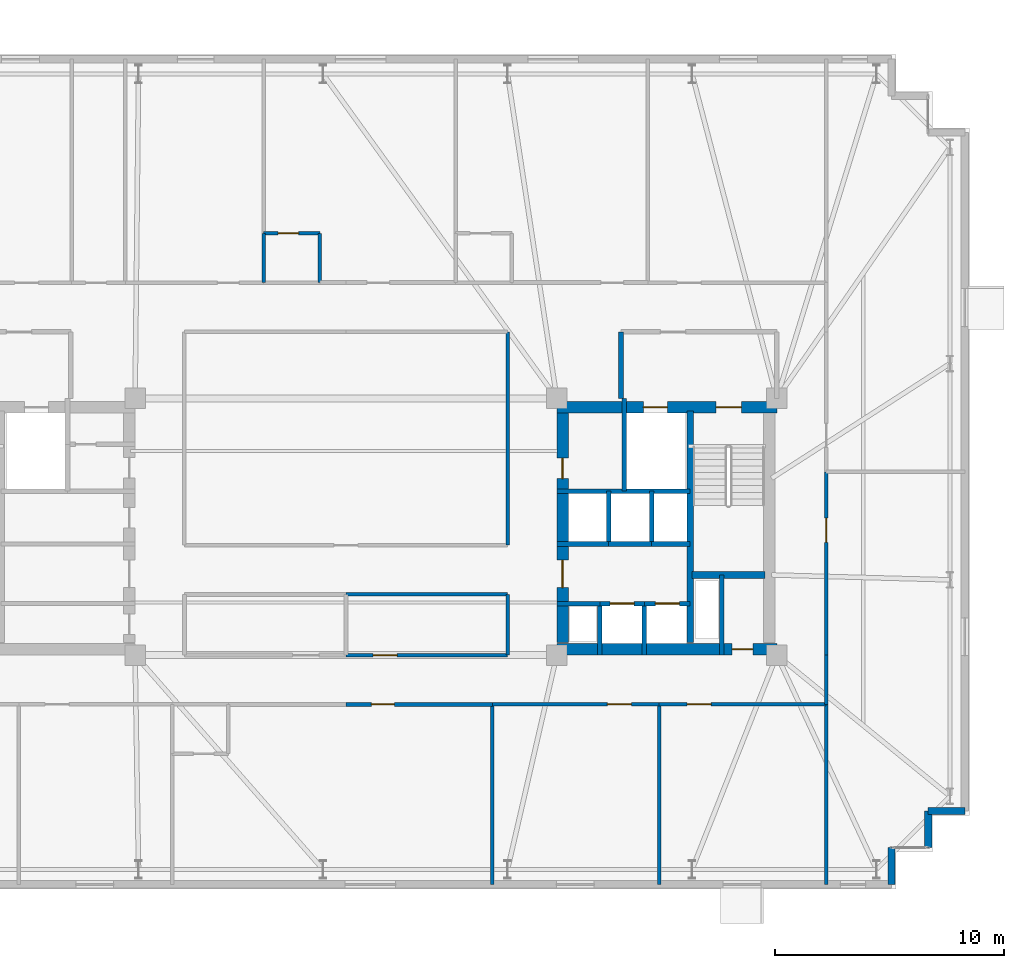
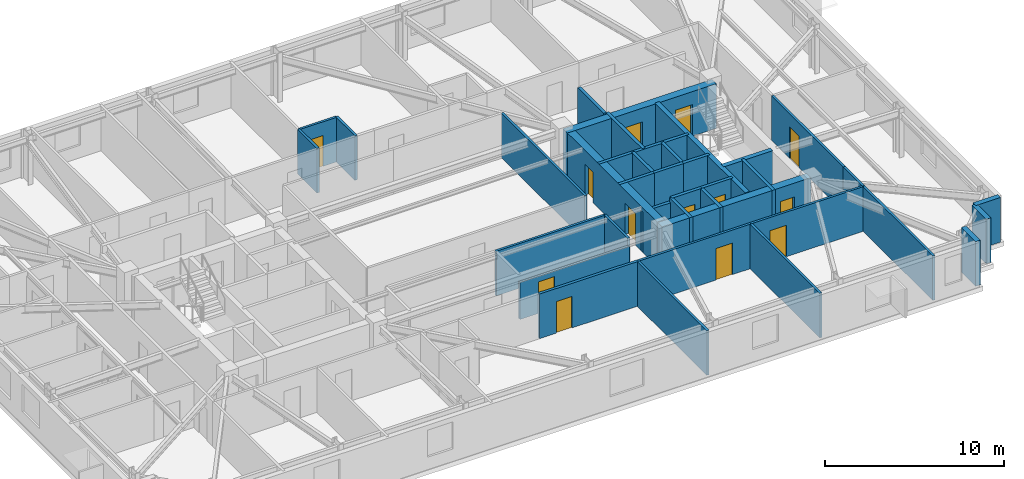
# One storey, part 13 of 17: 37 walls, 13 doors, 13 openings.
"""IFC4 building model written with IfcOpenShell, lengths in metres."""

from ifc_helpers import new_model, si_unit, direction, frame, frame_2d, origin, place, context, subcontext, project, spatial, rectangle, extrude, material, layer, layer_set, type_object, element, fill, save


model = new_model("IFC4")

# Units and contexts
model_context = context("Model", 3, precision=1e-05, world=origin(), true_north=direction((0.0, 1.0)))
body_context = subcontext(model_context, "Body", "Model", "MODEL_VIEW")
ifc_project = project(units=[si_unit("LENGTHUNIT", "METRE"), si_unit("AREAUNIT", "SQUARE_METRE"), si_unit("VOLUMEUNIT", "CUBIC_METRE"), si_unit("PLANEANGLEUNIT", "RADIAN"), si_unit("MASSUNIT", "GRAM", prefix="KILO")], contexts=[model_context])

# Site, building, storey
site_placement = place(None, origin())
site = spatial("IfcSite", under=ifc_project, at=site_placement, CompositionType="ELEMENT")
building_placement = place(site_placement, origin())
building = spatial("IfcBuilding", under=site, at=building_placement, Name="Qobustan Lattice House", CompositionType="ELEMENT")
storey_placement = place(building_placement, frame((0.0, 0.0, 167.85009765625)))
storey = spatial("IfcBuildingStorey", under=building, at=storey_placement, Name="L47", CompositionType="ELEMENT", Elevation=167.85009765625)

# Wall, openings, doors
ifc_material_1 = material(Name="Concrete C50/60", Category="concrete")
ifc_layer_1 = layer(ifc_material_1, 0.5)
ifc_layer_set_1 = layer_set([ifc_layer_1], Name="Concrete C50/60")
wall_type_1 = type_object("IfcWallType", Name="WAL-CORE-500", PredefinedType="SHEAR", material=ifc_layer_set_1)
wall_1_placement = place(storey_placement, frame((9.199951171875, 5.2099609375, 0.0), z_axis=(0.0, 0.0, 1.0), x_axis=(1.0, 0.0, 0.0)))
wall_1 = element("IfcWall", 1, at=wall_1_placement, inside=storey, type_object=wall_type_1, Name="L47 split-core shear wall CE-N", PredefinedType="SHEAR", context=body_context, shape_type="SweptSolid", body=[
    extrude(rectangle(XDim=9.60009765625, YDim=0.5, at=frame_2d((4.800048828125, 0.0))), origin(), (0.0, 0.0, 1.0), 3.039794921875),
])
opening_1_placement = place(wall_1_placement, frame((6.949951171875, 0.0, 0.0)))
opening_1 = element("IfcOpeningElement", 2, at=opening_1_placement, cuts=wall_1, Name="Opening SD-01", PredefinedType="OPENING", context=body_context, shape_type="SweptSolid", body=[
    extrude(rectangle(XDim=1.10009765625, YDim=2.14990234375, at=frame_2d((0.550048828125, 1.074951171875))), frame((0.0, 0.260009765625, 0.0), z_axis=(0.0, -1.0, 0.0), x_axis=(1.0, 0.0, 0.0)), (0.0, 0.0, 1.0), 0.52001953125),
])
opening_2_placement = place(wall_1_placement, frame((3.77490234375, 0.0, 0.0)))
opening_2 = element("IfcOpeningElement", 3, at=opening_2_placement, cuts=wall_1, Name="Opening LD-01", PredefinedType="OPENING", context=body_context, shape_type="SweptSolid", body=[
    extrude(rectangle(XDim=1.050048828125, YDim=2.10009765625, at=frame_2d((0.52490234375, 1.050048828125))), frame((0.0, 0.260009765625, 0.0), z_axis=(0.0, -1.0, 0.0), x_axis=(1.0, 0.0, 0.0)), (0.0, 0.0, 1.0), 0.52001953125),
])
ifc_material_2 = material(Name="Persian walnut timber and steel frame door", Category="steel")
door_type_1 = type_object("IfcDoorType", Name="DOR-LIFT-LD-1050x2100", OperationType="NOTDEFINED", PredefinedType="DOOR", material=ifc_material_2)
door_1_placement = place(opening_2_placement, origin())
door_1 = element("IfcDoor", 4, at=door_1_placement, inside=storey, type_object=door_type_1, Name="L47 firefighting lift FF-E landing door", OperationType="DOUBLE_DOOR_SLIDING", OverallHeight=2.10009765625, OverallWidth=1.050048828125, PredefinedType="DOOR", context=body_context, shape_type="SweptSolid", body=[
    extrude(rectangle(XDim=1.050048828125, YDim=2.10009765625, at=frame_2d((0.52490234375, 1.050048828125))), frame((0.0, 0.02490234375, 0.0), z_axis=(0.0, -1.0, 0.0), x_axis=(1.0, 0.0, 0.0)), (0.0, 0.0, 1.0), 0.050048828125),
])
fill(opening_2, door_1)
ifc_material_3 = material(Name="Persian walnut timber and steel frame door", Category="steel")
door_type_2 = type_object("IfcDoorType", Name="DOR-STAIR-FD-1100x2150", OperationType="NOTDEFINED", PredefinedType="DOOR", material=ifc_material_3)
door_2_placement = place(opening_1_placement, origin())
door_2 = element("IfcDoor", 5, at=door_2_placement, inside=storey, type_object=door_type_2, Name="L47 exit stair ST-E1 fire door", OperationType="SINGLE_SWING_RIGHT", OverallHeight=2.14990234375, OverallWidth=1.10009765625, PredefinedType="DOOR", context=body_context, shape_type="SweptSolid", body=[
    extrude(rectangle(XDim=1.10009765625, YDim=2.14990234375, at=frame_2d((0.550048828125, 1.074951171875))), frame((0.0, 0.02490234375, 0.0), z_axis=(0.0, -1.0, 0.0), x_axis=(1.0, 0.0, 0.0)), (0.0, 0.0, 1.0), 0.050048828125),
])
fill(opening_1, door_2)

# Wall, opening, door
wall_2_placement = place(storey_placement, frame((9.199951171875, -5.35009765625, 0.0), z_axis=(0.0, 0.0, 1.0), x_axis=(1.0, 0.0, 0.0)))
wall_2 = element("IfcWall", 6, at=wall_2_placement, inside=storey, type_object=wall_type_1, Name="L47 split-core shear wall CE-S", PredefinedType="SHEAR", context=body_context, shape_type="SweptSolid", body=[
    extrude(rectangle(XDim=9.60009765625, YDim=0.5, at=frame_2d((4.800048828125, 0.0))), origin(), (0.0, 0.0, 1.0), 3.039794921875),
])
opening_3_placement = place(wall_2_placement, frame((7.64990234375, 0.0, 0.0)))
opening_3 = element("IfcOpeningElement", 7, at=opening_3_placement, cuts=wall_2, Name="Opening RD-01", PredefinedType="OPENING", context=body_context, shape_type="SweptSolid", body=[
    extrude(rectangle(XDim=0.89990234375, YDim=2.10009765625, at=frame_2d((0.449951171875, 1.050048828125))), frame((0.0, 0.260009765625, 0.0), z_axis=(0.0, -1.0, 0.0), x_axis=(1.0, 0.0, 0.0)), (0.0, 0.0, 1.0), 0.52001953125),
])
ifc_material_4 = material(Name="Persian walnut timber and steel frame door", Category="steel")
door_type_3 = type_object("IfcDoorType", Name="DOR-RISER-FD-900x2100", OperationType="NOTDEFINED", PredefinedType="DOOR", material=ifc_material_4)
door_3_placement = place(opening_3_placement, origin())
door_3 = element("IfcDoor", 8, at=door_3_placement, inside=storey, type_object=door_type_3, Name="L47 core service riser access door E", OperationType="SINGLE_SWING_RIGHT", OverallHeight=2.10009765625, OverallWidth=0.89990234375, PredefinedType="DOOR", context=body_context, shape_type="SweptSolid", body=[
    extrude(rectangle(XDim=0.89990234375, YDim=2.10009765625, at=frame_2d((0.449951171875, 1.050048828125))), frame((0.0, 0.02490234375, 0.0), z_axis=(0.0, -1.0, 0.0), x_axis=(1.0, 0.0, 0.0)), (0.0, 0.0, 1.0), 0.050048828125),
])
fill(opening_3, door_3)

# Wall, openings, doors
wall_3_placement = place(storey_placement, frame((9.449951171875, -5.050048828125, 0.0), z_axis=(0.0, 0.0, 1.0), x_axis=(0.0, 1.0, 0.0)))
wall_3 = element("IfcWall", 9, at=wall_3_placement, inside=storey, type_object=wall_type_1, Name="L47 split-core shear wall CE-W", PredefinedType="SHEAR", context=body_context, shape_type="SweptSolid", body=[
    extrude(rectangle(XDim=10.10009765625, YDim=0.5, at=frame_2d((5.050048828125, 0.0))), origin(), (0.0, 0.0, 1.0), 3.039794921875),
])
opening_4_placement = place(wall_3_placement, frame((7.14990234375, 0.0, 0.0)))
opening_4 = element("IfcOpeningElement", 10, at=opening_4_placement, cuts=wall_3, Name="Opening RD-01", PredefinedType="OPENING", context=body_context, shape_type="SweptSolid", body=[
    extrude(rectangle(XDim=0.89990234375, YDim=2.10009765625, at=frame_2d((0.449951171875, 1.050048828125))), frame((0.0, 0.260009765625, 0.0), z_axis=(0.0, -1.0, 0.0), x_axis=(1.0, 0.0, 0.0)), (0.0, 0.0, 1.0), 0.52001953125),
])
opening_5_placement = place(wall_3_placement, frame((2.39990234375, 0.0, 0.0)))
opening_5 = element("IfcOpeningElement", 11, at=opening_5_placement, cuts=wall_3, Name="Opening FD-01", PredefinedType="OPENING", context=body_context, shape_type="SweptSolid", body=[
    extrude(rectangle(XDim=1.199951171875, YDim=2.14990234375, at=frame_2d((0.60009765625, 1.074951171875))), frame((0.0, 0.260009765625, 0.0), z_axis=(0.0, -1.0, 0.0), x_axis=(1.0, 0.0, 0.0)), (0.0, 0.0, 1.0), 0.52001953125),
])
ifc_material_5 = material(Name="Persian walnut timber and steel frame door", Category="steel")
door_type_4 = type_object("IfcDoorType", Name="DOR-LOBBY-FD-1200x2150", OperationType="NOTDEFINED", PredefinedType="DOOR", material=ifc_material_5)
door_4_placement = place(opening_5_placement, origin())
door_4 = element("IfcDoor", 12, at=door_4_placement, inside=storey, type_object=door_type_4, Name="L47 East passenger lift lobby fire door", OperationType="SINGLE_SWING_LEFT", OverallHeight=2.14990234375, OverallWidth=1.199951171875, PredefinedType="DOOR", context=body_context, shape_type="SweptSolid", body=[
    extrude(rectangle(XDim=1.199951171875, YDim=2.14990234375, at=frame_2d((0.60009765625, 1.074951171875))), frame((0.0, 0.02490234375, 0.0), z_axis=(0.0, -1.0, 0.0), x_axis=(1.0, 0.0, 0.0)), (0.0, 0.0, 1.0), 0.050048828125),
])
fill(opening_5, door_4)
door_5_placement = place(opening_4_placement, origin())
door_5 = element("IfcDoor", 13, at=door_5_placement, inside=storey, type_object=door_type_3, Name="L47 Housekeeping linen store fire door", OperationType="SINGLE_SWING_RIGHT", OverallHeight=2.10009765625, OverallWidth=0.89990234375, PredefinedType="DOOR", context=body_context, shape_type="SweptSolid", body=[
    extrude(rectangle(XDim=0.89990234375, YDim=2.10009765625, at=frame_2d((0.449951171875, 1.050048828125))), frame((0.0, 0.02490234375, 0.0), z_axis=(0.0, -1.0, 0.0), x_axis=(1.0, 0.0, 0.0)), (0.0, 0.0, 1.0), 0.050048828125),
])
fill(opening_4, door_5)

# Walls
ifc_material_6 = material(Name="Concrete C50/60", Category="concrete")
ifc_layer_2 = layer(ifc_material_6, 0.280029296875)
ifc_layer_set_2 = layer_set([ifc_layer_2], Name="Concrete C50/60")
wall_type_2 = type_object("IfcWallType", Name="WAL-CORE-SPINE-280", PredefinedType="SHEAR", material=ifc_layer_set_2)
wall_4_placement = place(storey_placement, frame((15.02001953125, -5.050048828125, 0.0), z_axis=(0.0, 0.0, 1.0), x_axis=(0.0, 1.0, 0.0)))
element("IfcWall", 14, at=wall_4_placement, inside=storey, type_object=wall_type_2, Name="L47 split-core shear wall CE-M", PredefinedType="SHEAR", context=body_context, shape_type="SweptSolid", body=[
    extrude(rectangle(XDim=10.10009765625, YDim=0.300048828125, at=frame_2d((5.050048828125, 0.0))), origin(), (0.0, 0.0, 1.0), 3.039794921875),
])
wall_5_placement = place(storey_placement, frame((15.10009765625, -2.110107421875, 0.0), z_axis=(0.0, 0.0, 1.0), x_axis=(1.0, 0.0, 0.0)))
element("IfcWall", 15, at=wall_5_placement, inside=storey, type_object=wall_type_2, Name="L47 split-core shear wall CE-ST", PredefinedType="SHEAR", context=body_context, shape_type="SweptSolid", body=[
    extrude(rectangle(XDim=3.179931640625, YDim=0.300048828125, at=frame_2d((1.58984375, 0.0))), origin(), (0.0, 0.0, 1.0), 3.039794921875),
])
ifc_material_7 = material(Name="Precast concrete C40/50", Category="concrete")
ifc_layer_3 = layer(ifc_material_7, 0.320068359375)
ifc_layer_set_3 = layer_set([ifc_layer_3], Name="Precast concrete C40/50")
wall_type_3 = type_object("IfcWallType", Name="WAL-EXT-STONE-320", PredefinedType="SOLIDWALL", material=ifc_layer_set_3)
for number, where, z_axis, x_axis, name in (
    (16, (27.0, -12.39990234375, 0.0), (0.0, 0.0, 1.0), (-1.0, 0.0, 0.0), "L47 exterior limestone-clad wall 16"),
    (17, (25.39990234375, -12.39990234375, 0.0), (0.0, 0.0, 1.0), (0.0, -1.0, 0.0), "L47 exterior limestone-clad wall 17"),
    (18, (23.800048828125, -14.0, 0.0), (0.0, 0.0, 1.0), (0.0, -1.0, 0.0), "L47 exterior limestone-clad wall 19"),
):
    element("IfcWall", number, at=place(storey_placement, frame(where, z_axis=z_axis, x_axis=x_axis)), inside=storey, type_object=wall_type_3, Name=name, PredefinedType="SOLIDWALL", context=body_context, shape_type="SweptSolid", body=[
        extrude(rectangle(XDim=1.60009765625, YDim=0.320068359375, at=frame_2d((0.800048828125, 0.0))), origin(), (0.0, 0.0, 1.0), 3.039794921875),
    ])

# Wall, opening, door
ifc_material_8 = material(Name="Gypsum fireboard acoustic partition", Category="gypsum")
ifc_layer_4 = layer(ifc_material_8, 0.179931640625)
ifc_layer_set_4 = layer_set([ifc_layer_4], Name="Gypsum fireboard acoustic partition")
wall_type_4 = type_object("IfcWallType", Name="WAL-FIRE-180", PredefinedType="PARTITIONING", material=ifc_layer_set_4)
wall_6_placement = place(storey_placement, frame((6.383056640625, -7.75, 0.0), z_axis=(0.0, 0.0, 1.0), x_axis=(-1.0, 0.0, 0.0)))
wall_6 = element("IfcWall", 19, at=wall_6_placement, inside=storey, type_object=wall_type_4, Name="L47 interior partition 53", PredefinedType="PARTITIONING", context=body_context, shape_type="SweptSolid", body=[
    extrude(rectangle(XDim=6.383056640625, YDim=0.179931640625, at=frame_2d((3.19140625, 0.0))), origin(), (0.0, 0.0, 1.0), 3.039794921875),
])
opening_6_placement = place(wall_6_placement, frame((4.275146484375, 0.0, 0.0)))
opening_6 = element("IfcOpeningElement", 20, at=opening_6_placement, cuts=wall_6, Name="Opening FD-02", PredefinedType="OPENING", context=body_context, shape_type="SweptSolid", body=[
    extrude(rectangle(XDim=1.0, YDim=2.14990234375, at=frame_2d((0.5, 1.074951171875))), frame((0.0, 0.099853515625, 0.0), z_axis=(0.0, -1.0, 0.0), x_axis=(1.0, 0.0, 0.0)), (0.0, 0.0, 1.0), 0.199951171875),
])
ifc_material_9 = material(Name="Persian walnut timber and steel frame door", Category="steel")
door_type_5 = type_object("IfcDoorType", Name="DOR-UNIT-FD-1000x2150", OperationType="NOTDEFINED", PredefinedType="DOOR", material=ifc_material_9)
door_6_placement = place(opening_6_placement, origin())
door_6 = element("IfcDoor", 21, at=door_6_placement, inside=storey, type_object=door_type_5, Name="L47 South-east floor corridor to Kitchenette and studio apartment L47-S2 door", OperationType="SINGLE_SWING_RIGHT", OverallHeight=2.14990234375, OverallWidth=1.0, PredefinedType="DOOR", context=body_context, shape_type="SweptSolid", body=[
    extrude(rectangle(XDim=1.0, YDim=2.14990234375, at=frame_2d((0.5, 1.074951171875))), frame((0.0, 0.02490234375, 0.0), z_axis=(0.0, -1.0, 0.0), x_axis=(1.0, 0.0, 0.0)), (0.0, 0.0, 1.0), 0.050048828125),
])
fill(opening_6, door_6)

# Wall
ifc_material_10 = material(Name="Acoustic twin-stud gypsum partition", Category="gypsum")
ifc_layer_5 = layer(ifc_material_10, 0.14990234375)
ifc_layer_set_5 = layer_set([ifc_layer_5], Name="Acoustic twin-stud gypsum partition")
wall_type_5 = type_object("IfcWallType", Name="WAL-PART-150", PredefinedType="PARTITIONING", material=ifc_layer_set_5)
wall_7_placement = place(storey_placement, frame((20.949951171875, -5.60009765625, 0.0), z_axis=(0.0, 0.0, 1.0), x_axis=(0.0, -1.0, 0.0)))
element("IfcWall", 22, at=wall_7_placement, inside=storey, type_object=wall_type_5, Name="L47 interior partition 52", PredefinedType="PARTITIONING", context=body_context, shape_type="SweptSolid", body=[
    extrude(rectangle(XDim=2.14990234375, YDim=0.14990234375, at=frame_2d((1.074951171875, 0.0))), origin(), (0.0, 0.0, 1.0), 3.039794921875),
])

# Wall, opening, door
wall_8_placement = place(storey_placement, frame((13.66650390625, -7.75, 0.0), z_axis=(0.0, 0.0, 1.0), x_axis=(-1.0, 0.0, 0.0)))
wall_8 = element("IfcWall", 23, at=wall_8_placement, inside=storey, type_object=wall_type_5, Name="L47 interior partition 54", PredefinedType="PARTITIONING", context=body_context, shape_type="SweptSolid", body=[
    extrude(rectangle(XDim=7.283447265625, YDim=0.14990234375, at=frame_2d((3.6416015625, 0.0))), origin(), (0.0, 0.0, 1.0), 3.039794921875),
])
opening_7_placement = place(wall_8_placement, frame((1.214111328125, 0.0, 0.0)))
opening_7 = element("IfcOpeningElement", 24, at=opening_7_placement, cuts=wall_8, Name="Opening ID-02", PredefinedType="OPENING", context=body_context, shape_type="SweptSolid", body=[
    extrude(rectangle(XDim=1.050048828125, YDim=2.14990234375, at=frame_2d((0.52490234375, 1.074951171875))), frame((0.0, 0.0849609375, 0.0), z_axis=(0.0, -1.0, 0.0), x_axis=(1.0, 0.0, 0.0)), (0.0, 0.0, 1.0), 0.169921875),
])
ifc_material_11 = material(Name="Persian walnut timber and steel frame door", Category="steel")
door_type_6 = type_object("IfcDoorType", Name="DOR-STUDY-1050x2150", OperationType="NOTDEFINED", PredefinedType="DOOR", material=ifc_material_11)
door_7_placement = place(opening_7_placement, origin())
door_7 = element("IfcDoor", 25, at=door_7_placement, inside=storey, type_object=door_type_6, Name="L47 South-east floor corridor to Group study room door", OperationType="SINGLE_SWING_LEFT", OverallHeight=2.14990234375, OverallWidth=1.050048828125, PredefinedType="DOOR", context=body_context, shape_type="SweptSolid", body=[
    extrude(rectangle(XDim=1.050048828125, YDim=2.14990234375, at=frame_2d((0.52490234375, 1.074951171875))), frame((0.0, 0.02490234375, 0.0), z_axis=(0.0, -1.0, 0.0), x_axis=(1.0, 0.0, 0.0)), (0.0, 0.0, 1.0), 0.050048828125),
])
fill(opening_7, door_7)

wall_9_placement = place(storey_placement, frame((20.949951171875, -7.75, 0.0), z_axis=(0.0, 0.0, 1.0), x_axis=(-1.0, 0.0, 0.0)))
wall_9 = element("IfcWall", 26, at=wall_9_placement, inside=storey, type_object=wall_type_5, Name="L47 interior partition 55", PredefinedType="PARTITIONING", context=body_context, shape_type="SweptSolid", body=[
    extrude(rectangle(XDim=7.283447265625, YDim=0.14990234375, at=frame_2d((3.6416015625, 0.0))), origin(), (0.0, 0.0, 1.0), 3.039794921875),
])
opening_8_placement = place(wall_9_placement, frame((5.019287109375, 0.0, 0.0)))
opening_8 = element("IfcOpeningElement", 27, at=opening_8_placement, cuts=wall_9, Name="Opening ID-02", PredefinedType="OPENING", context=body_context, shape_type="SweptSolid", body=[
    extrude(rectangle(XDim=1.050048828125, YDim=2.14990234375, at=frame_2d((0.52490234375, 1.074951171875))), frame((0.0, 0.0849609375, 0.0), z_axis=(0.0, -1.0, 0.0), x_axis=(1.0, 0.0, 0.0)), (0.0, 0.0, 1.0), 0.169921875),
])
door_8_placement = place(opening_8_placement, origin())
door_8 = element("IfcDoor", 28, at=door_8_placement, inside=storey, type_object=door_type_6, Name="L47 South-east floor corridor to Academic seminar room door", OperationType="SINGLE_SWING_RIGHT", OverallHeight=2.14990234375, OverallWidth=1.050048828125, PredefinedType="DOOR", context=body_context, shape_type="SweptSolid", body=[
    extrude(rectangle(XDim=1.050048828125, YDim=2.14990234375, at=frame_2d((0.52490234375, 1.074951171875))), frame((0.0, 0.02490234375, 0.0), z_axis=(0.0, -1.0, 0.0), x_axis=(1.0, 0.0, 0.0)), (0.0, 0.0, 1.0), 0.050048828125),
])
fill(opening_8, door_8)

wall_10_placement = place(storey_placement, frame((0.0, -5.60009765625, 0.0), z_axis=(0.0, 0.0, 1.0), x_axis=(1.0, 0.0, 0.0)))
wall_10 = element("IfcWall", 29, at=wall_10_placement, inside=storey, type_object=wall_type_5, Name="L47 interior partition 56", PredefinedType="PARTITIONING", context=body_context, shape_type="SweptSolid", body=[
    extrude(rectangle(XDim=7.050048828125, YDim=0.14990234375, at=frame_2d((3.52490234375, 0.0))), origin(), (0.0, 0.0, 1.0), 2.52490234375),
])
opening_9_placement = place(wall_10_placement, frame((1.18505859375, 0.0, 0.0)))
opening_9 = element("IfcOpeningElement", 30, at=opening_9_placement, cuts=wall_10, Name="Opening ID-02", PredefinedType="OPENING", context=body_context, shape_type="SweptSolid", body=[
    extrude(rectangle(XDim=1.050048828125, YDim=2.14990234375, at=frame_2d((0.52490234375, 1.074951171875))), frame((0.0, 0.0849609375, 0.0), z_axis=(0.0, -1.0, 0.0), x_axis=(1.0, 0.0, 0.0)), (0.0, 0.0, 1.0), 0.169921875),
])
door_9_placement = place(opening_9_placement, origin())
door_9 = element("IfcDoor", 31, at=door_9_placement, inside=storey, type_object=door_type_6, Name="L47 South-east floor corridor to Silent study room door", OperationType="SINGLE_SWING_LEFT", OverallHeight=2.14990234375, OverallWidth=1.050048828125, PredefinedType="DOOR", context=body_context, shape_type="SweptSolid", body=[
    extrude(rectangle(XDim=1.050048828125, YDim=2.14990234375, at=frame_2d((0.52490234375, 1.074951171875))), frame((0.0, 0.02490234375, 0.0), z_axis=(0.0, -1.0, 0.0), x_axis=(1.0, 0.0, 0.0)), (0.0, 0.0, 1.0), 0.050048828125),
])
fill(opening_9, door_9)

wall_11_placement = place(storey_placement, frame((20.949951171875, 2.39990234375, 0.0), z_axis=(0.0, 0.0, 1.0), x_axis=(0.0, -1.0, 0.0)))
wall_11 = element("IfcWall", 32, at=wall_11_placement, inside=storey, type_object=wall_type_5, Name="L47 interior partition 58", PredefinedType="PARTITIONING", context=body_context, shape_type="SweptSolid", body=[
    extrude(rectangle(XDim=8.0, YDim=0.14990234375, at=frame_2d((4.0, 0.0))), origin(), (0.0, 0.0, 1.0), 3.039794921875),
])
opening_10_placement = place(wall_11_placement, frame((2.027587890625, 0.0, 0.0)))
opening_10 = element("IfcOpeningElement", 33, at=opening_10_placement, cuts=wall_11, Name="Opening ID-02", PredefinedType="OPENING", context=body_context, shape_type="SweptSolid", body=[
    extrude(rectangle(XDim=1.050048828125, YDim=2.14990234375, at=frame_2d((0.52490234375, 1.074951171875))), frame((0.0, 0.0849609375, 0.0), z_axis=(0.0, -1.0, 0.0), x_axis=(1.0, 0.0, 0.0)), (0.0, 0.0, 1.0), 0.169921875),
])
door_10_placement = place(opening_10_placement, origin())
door_10 = element("IfcDoor", 34, at=door_10_placement, inside=storey, type_object=door_type_6, Name="L47 East wing spine gallery to Fellows reading room door", OperationType="SINGLE_SWING_LEFT", OverallHeight=2.14990234375, OverallWidth=1.050048828125, PredefinedType="DOOR", context=body_context, shape_type="SweptSolid", body=[
    extrude(rectangle(XDim=1.050048828125, YDim=2.14990234375, at=frame_2d((0.52490234375, 1.074951171875))), frame((0.0, 0.02490234375, 0.0), z_axis=(0.0, -1.0, 0.0), x_axis=(1.0, 0.0, 0.0)), (0.0, 0.0, 1.0), 0.050048828125),
])
fill(opening_10, door_10)

# Walls
wall_12_placement = place(storey_placement, frame((7.050048828125, -2.949951171875, 0.0), z_axis=(0.0, 0.0, 1.0), x_axis=(-1.0, 0.0, 0.0)))
element("IfcWall", 35, at=wall_12_placement, inside=storey, type_object=wall_type_5, Name="L47 interior partition 62", PredefinedType="PARTITIONING", context=body_context, shape_type="SweptSolid", body=[
    extrude(rectangle(XDim=7.050048828125, YDim=0.14990234375, at=frame_2d((3.52490234375, 0.0))), origin(), (0.0, 0.0, 1.0), 3.039794921875),
])
wall_13_placement = place(storey_placement, frame((7.050048828125, -0.800048828125, 0.0), z_axis=(0.0, 0.0, 1.0), x_axis=(0.0, 1.0, 0.0)))
element("IfcWall", 36, at=wall_13_placement, inside=storey, type_object=wall_type_5, Name="L47 interior partition 65", PredefinedType="PARTITIONING", context=body_context, shape_type="SweptSolid", body=[
    extrude(rectangle(XDim=9.300048828125, YDim=0.14990234375, at=frame_2d((4.64990234375, 0.0))), origin(), (0.0, 0.0, 1.0), 3.039794921875),
])
wall_14_placement = place(storey_placement, frame((7.050048828125, -5.60009765625, 0.0), z_axis=(0.0, 0.0, 1.0), x_axis=(0.0, 1.0, 0.0)))
element("IfcWall", 37, at=wall_14_placement, inside=storey, type_object=wall_type_5, Name="L47 interior partition 66", PredefinedType="PARTITIONING", context=body_context, shape_type="SweptSolid", body=[
    extrude(rectangle(XDim=2.650146484375, YDim=0.14990234375, at=frame_2d((1.3251953125, 0.0))), origin(), (0.0, 0.0, 1.0), 3.039794921875),
])
for number, where, z_axis, x_axis, name in (
    (38, (20.949951171875, -15.60009765625, 0.0), (0.0, 0.0, 1.0), (0.0, 1.0, 0.0), "L47 interior partition 85"),
    (39, (6.383056640625, -7.75, 0.0), (0.0, 0.0, 1.0), (0.0, -1.0, 0.0), "L47 interior partition 104"),
    (40, (13.66650390625, -7.75, 0.0), (0.0, 0.0, 1.0), (0.0, -1.0, 0.0), "L47 interior partition 105"),
):
    element("IfcWall", number, at=place(storey_placement, frame(where, z_axis=z_axis, x_axis=x_axis)), inside=storey, type_object=wall_type_5, Name=name, PredefinedType="PARTITIONING", context=body_context, shape_type="SweptSolid", body=[
        extrude(rectangle(XDim=7.85009765625, YDim=0.14990234375, at=frame_2d((3.925048828125, 0.0))), origin(), (0.0, 0.0, 1.0), 3.039794921875),
    ])
ifc_material_12 = material(Name="Two-hour gypsum fireboard acoustic partition", Category="gypsum")
ifc_layer_6 = layer(ifc_material_12, 0.199951171875)
ifc_layer_set_6 = layer_set([ifc_layer_6], Name="Two-hour gypsum fireboard acoustic partition")
wall_type_6 = type_object("IfcWallType", Name="WAL-PROT-200", PredefinedType="PARTITIONING", material=ifc_layer_set_6)
wall_15_placement = place(storey_placement, frame((12.0, 8.5, 0.0), z_axis=(0.0, 0.0, 1.0), x_axis=(0.0, -1.0, 0.0)))
element("IfcWall", 41, at=wall_15_placement, inside=storey, type_object=wall_type_6, Name="L47 interior partition 19", PredefinedType="PARTITIONING", context=body_context, shape_type="SweptSolid", body=[
    extrude(rectangle(XDim=2.89990234375, YDim=0.199951171875, at=frame_2d((1.449951171875, 0.0))), origin(), (0.0, 0.0, 1.0), 3.039794921875),
])
ifc_material_13 = material(Name="Concrete C40/50", Category="concrete")
ifc_layer_7 = layer(ifc_material_13, 0.199951171875)
ifc_layer_set_7 = layer_set([ifc_layer_7], Name="Concrete C40/50")
wall_type_7 = type_object("IfcWallType", Name="WAL-SHAFT-200", PredefinedType="PARTITIONING", material=ifc_layer_set_7)
wall_16_placement = place(storey_placement, frame((16.39990234375, -2.110107421875, 0.0), z_axis=(0.0, 0.0, 1.0), x_axis=(0.0, -1.0, 0.0)))
element("IfcWall", 42, at=wall_16_placement, inside=storey, type_object=wall_type_7, Name="L47 interior partition 15", PredefinedType="PARTITIONING", context=body_context, shape_type="SweptSolid", body=[
    extrude(rectangle(XDim=3.489990234375, YDim=0.199951171875, at=frame_2d((1.7451171875, 0.0))), origin(), (0.0, 0.0, 1.0), 3.039794921875),
])
wall_17_placement = place(storey_placement, frame((12.14990234375, 5.60009765625, 0.0), z_axis=(0.0, 0.0, 1.0), x_axis=(0.0, -1.0, 0.0)))
element("IfcWall", 43, at=wall_17_placement, inside=storey, type_object=wall_type_7, Name="L47 interior partition 16", PredefinedType="PARTITIONING", context=body_context, shape_type="SweptSolid", body=[
    extrude(rectangle(XDim=4.050048828125, YDim=0.199951171875, at=frame_2d((2.02490234375, 0.0))), origin(), (0.0, 0.0, 1.0), 3.039794921875),
])
wall_18_placement = place(storey_placement, frame((9.199951171875, -3.35009765625, 0.0), z_axis=(0.0, 0.0, 1.0), x_axis=(1.0, 0.0, 0.0)))
element("IfcWall", 44, at=wall_18_placement, inside=storey, type_object=wall_type_7, Name="L47 interior partition 21", PredefinedType="PARTITIONING", context=body_context, shape_type="SweptSolid", body=[
    extrude(rectangle(XDim=1.880126953125, YDim=0.199951171875, at=frame_2d((0.93994140625, 0.0))), origin(), (0.0, 0.0, 1.0), 2.7548828125),
])

# Wall, opening, door
wall_19_placement = place(storey_placement, frame((11.080078125, -3.35009765625, 0.0), z_axis=(0.0, 0.0, 1.0), x_axis=(1.0, 0.0, 0.0)))
wall_19 = element("IfcWall", 45, at=wall_19_placement, inside=storey, type_object=wall_type_7, Name="L47 interior partition 22", PredefinedType="PARTITIONING", context=body_context, shape_type="SweptSolid", body=[
    extrude(rectangle(XDim=1.93994140625, YDim=0.199951171875, at=frame_2d((0.969970703125, 0.0))), origin(), (0.0, 0.0, 1.0), 3.039794921875),
])
opening_11_placement = place(wall_19_placement, frame((0.445068359375, 0.0, 0.0)))
opening_11 = element("IfcOpeningElement", 46, at=opening_11_placement, cuts=wall_19, Name="Opening LD-01", PredefinedType="OPENING", context=body_context, shape_type="SweptSolid", body=[
    extrude(rectangle(XDim=1.050048828125, YDim=2.10009765625, at=frame_2d((0.52490234375, 1.050048828125))), frame((0.0, 0.10986328125, 0.0), z_axis=(0.0, -1.0, 0.0), x_axis=(1.0, 0.0, 0.0)), (0.0, 0.0, 1.0), 0.219970703125),
])
door_11_placement = place(opening_11_placement, origin())
door_11 = element("IfcDoor", 47, at=door_11_placement, inside=storey, type_object=door_type_1, Name="L47 lift landing door", OperationType="DOUBLE_DOOR_SLIDING", OverallHeight=2.10009765625, OverallWidth=1.050048828125, PredefinedType="DOOR", context=body_context, shape_type="SweptSolid", body=[
    extrude(rectangle(XDim=1.050048828125, YDim=2.10009765625, at=frame_2d((0.52490234375, 1.050048828125))), frame((0.0, 0.02490234375, 0.0), z_axis=(0.0, -1.0, 0.0), x_axis=(1.0, 0.0, 0.0)), (0.0, 0.0, 1.0), 0.050048828125),
])
fill(opening_11, door_11)

wall_20_placement = place(storey_placement, frame((13.02001953125, -3.35009765625, 0.0), z_axis=(0.0, 0.0, 1.0), x_axis=(1.0, 0.0, 0.0)))
wall_20 = element("IfcWall", 48, at=wall_20_placement, inside=storey, type_object=wall_type_7, Name="L47 interior partition 23", PredefinedType="PARTITIONING", context=body_context, shape_type="SweptSolid", body=[
    extrude(rectangle(XDim=2.0, YDim=0.199951171875, at=frame_2d((1.0, 0.0))), origin(), (0.0, 0.0, 1.0), 3.039794921875),
])
opening_12_placement = place(wall_20_placement, frame((0.47509765625, 0.0, 0.0)))
opening_12 = element("IfcOpeningElement", 49, at=opening_12_placement, cuts=wall_20, Name="Opening LD-01", PredefinedType="OPENING", context=body_context, shape_type="SweptSolid", body=[
    extrude(rectangle(XDim=1.050048828125, YDim=2.10009765625, at=frame_2d((0.52490234375, 1.050048828125))), frame((0.0, 0.10986328125, 0.0), z_axis=(0.0, -1.0, 0.0), x_axis=(1.0, 0.0, 0.0)), (0.0, 0.0, 1.0), 0.219970703125),
])
door_12_placement = place(opening_12_placement, origin())
door_12 = element("IfcDoor", 50, at=door_12_placement, inside=storey, type_object=door_type_1, Name="L47 lift landing door", OperationType="DOUBLE_DOOR_SLIDING", OverallHeight=2.10009765625, OverallWidth=1.050048828125, PredefinedType="DOOR", context=body_context, shape_type="SweptSolid", body=[
    extrude(rectangle(XDim=1.050048828125, YDim=2.10009765625, at=frame_2d((0.52490234375, 1.050048828125))), frame((0.0, 0.02490234375, 0.0), z_axis=(0.0, -1.0, 0.0), x_axis=(1.0, 0.0, 0.0)), (0.0, 0.0, 1.0), 0.050048828125),
])
fill(opening_12, door_12)

# Walls
wall_21_placement = place(storey_placement, frame((11.4599609375, -0.75, 0.0), z_axis=(0.0, 0.0, 1.0), x_axis=(-1.0, 0.0, 0.0)))
element("IfcWall", 51, at=wall_21_placement, inside=storey, type_object=wall_type_7, Name="L47 interior partition 24", PredefinedType="PARTITIONING", context=body_context, shape_type="SweptSolid", body=[
    extrude(rectangle(XDim=2.260009765625, YDim=0.199951171875, at=frame_2d((1.1298828125, 0.0))), origin(), (0.0, 0.0, 1.0), 3.039794921875),
])
wall_22_placement = place(storey_placement, frame((13.340087890625, -0.75, 0.0), z_axis=(0.0, 0.0, 1.0), x_axis=(-1.0, 0.0, 0.0)))
element("IfcWall", 52, at=wall_22_placement, inside=storey, type_object=wall_type_7, Name="L47 interior partition 25", PredefinedType="PARTITIONING", context=body_context, shape_type="SweptSolid", body=[
    extrude(rectangle(XDim=1.880126953125, YDim=0.199951171875, at=frame_2d((0.93994140625, 0.0))), origin(), (0.0, 0.0, 1.0), 3.039794921875),
])
wall_23_placement = place(storey_placement, frame((15.02001953125, -0.75, 0.0), z_axis=(0.0, 0.0, 1.0), x_axis=(-1.0, 0.0, 0.0)))
element("IfcWall", 53, at=wall_23_placement, inside=storey, type_object=wall_type_7, Name="L47 interior partition 26", PredefinedType="PARTITIONING", context=body_context, shape_type="SweptSolid", body=[
    extrude(rectangle(XDim=1.679931640625, YDim=0.199951171875, at=frame_2d((0.83984375, 0.0))), origin(), (0.0, 0.0, 1.0), 3.039794921875),
])
for number, where, z_axis, x_axis, name in (
    (54, (11.080078125, -5.60009765625, 0.0), (0.0, 0.0, 1.0), (0.0, 1.0, 0.0), "L47 interior partition 28"),
    (55, (13.02001953125, -5.60009765625, 0.0), (0.0, 0.0, 1.0), (0.0, 1.0, 0.0), "L47 interior partition 29"),
):
    element("IfcWall", number, at=place(storey_placement, frame(where, z_axis=z_axis, x_axis=x_axis)), inside=storey, type_object=wall_type_7, Name=name, PredefinedType="PARTITIONING", context=body_context, shape_type="SweptSolid", body=[
        extrude(rectangle(XDim=2.25, YDim=0.199951171875, at=frame_2d((1.125, 0.0))), origin(), (0.0, 0.0, 1.0), 3.039794921875),
    ])
for number, where, z_axis, x_axis, name in (
    (56, (11.4599609375, -0.75, 0.0), (0.0, 0.0, 1.0), (0.0, 1.0, 0.0), "L47 interior partition 30"),
    (57, (13.340087890625, -0.75, 0.0), (0.0, 0.0, 1.0), (0.0, 1.0, 0.0), "L47 interior partition 31"),
):
    element("IfcWall", number, at=place(storey_placement, frame(where, z_axis=z_axis, x_axis=x_axis)), inside=storey, type_object=wall_type_7, Name=name, PredefinedType="PARTITIONING", context=body_context, shape_type="SweptSolid", body=[
        extrude(rectangle(XDim=2.300048828125, YDim=0.199951171875, at=frame_2d((1.14990234375, 0.0))), origin(), (0.0, 0.0, 1.0), 3.039794921875),
    ])
wall_24_placement = place(storey_placement, frame((9.199951171875, 1.550048828125, 0.0), z_axis=(0.0, 0.0, 1.0), x_axis=(1.0, 0.0, 0.0)))
element("IfcWall", 58, at=wall_24_placement, inside=storey, type_object=wall_type_7, Name="L47 interior partition 108", PredefinedType="PARTITIONING", context=body_context, shape_type="SweptSolid", body=[
    extrude(rectangle(XDim=5.820068359375, YDim=0.199951171875, at=frame_2d((2.91015625, 0.0))), origin(), (0.0, 0.0, 1.0), 3.039794921875),
])
ifc_material_14 = material(Name="Moisture-resistant acoustic plumbing wall", Category="gypsum")
ifc_layer_8 = layer(ifc_material_14, 0.14990234375)
ifc_layer_set_8 = layer_set([ifc_layer_8], Name="Moisture-resistant acoustic plumbing wall")
wall_type_8 = type_object("IfcWallType", Name="WAL-WET-150", PredefinedType="PLUMBINGWALL", material=ifc_layer_set_8)
wall_25_placement = place(storey_placement, frame((-3.590087890625, 12.800048828125, 0.0), z_axis=(0.0, 0.0, 1.0), x_axis=(0.0, -1.0, 0.0)))
element("IfcWall", 59, at=wall_25_placement, inside=storey, type_object=wall_type_8, Name="L47 interior partition 91", PredefinedType="PLUMBINGWALL", context=body_context, shape_type="SweptSolid", body=[
    extrude(rectangle(XDim=2.150146484375, YDim=0.14990234375, at=frame_2d((1.0751953125, 0.0))), origin(), (0.0, 0.0, 1.0), 3.039794921875),
])

# Wall, opening, door
wall_26_placement = place(storey_placement, frame((-1.139892578125, 12.800048828125, 0.0), z_axis=(0.0, 0.0, 1.0), x_axis=(-1.0, 0.0, 0.0)))
wall_26 = element("IfcWall", 60, at=wall_26_placement, inside=storey, type_object=wall_type_8, Name="L47 interior partition 92", PredefinedType="PLUMBINGWALL", context=body_context, shape_type="SweptSolid", body=[
    extrude(rectangle(XDim=2.4501953125, YDim=0.14990234375, at=frame_2d((1.22509765625, 0.0))), origin(), (0.0, 0.0, 1.0), 3.039794921875),
])
opening_13_placement = place(wall_26_placement, frame((0.92138671875, 0.0, 0.0)))
opening_13 = element("IfcOpeningElement", 61, at=opening_13_placement, cuts=wall_26, Name="Opening WD-01", PredefinedType="OPENING", context=body_context, shape_type="SweptSolid", body=[
    extrude(rectangle(XDim=0.89990234375, YDim=2.10009765625, at=frame_2d((0.449951171875, 1.050048828125))), frame((0.0, 0.0849609375, 0.0), z_axis=(0.0, -1.0, 0.0), x_axis=(1.0, 0.0, 0.0)), (0.0, 0.0, 1.0), 0.169921875),
])
ifc_material_15 = material(Name="Persian walnut timber and steel frame door", Category="steel")
door_type_7 = type_object("IfcDoorType", Name="DOR-WET-900x2100", OperationType="NOTDEFINED", PredefinedType="DOOR", material=ifc_material_15)
door_13_placement = place(opening_13_placement, origin())
door_13 = element("IfcDoor", 62, at=door_13_placement, inside=storey, type_object=door_type_7, Name="L47 Kitchenette and studio apartment L47-N3 to En-suite bathroom L47-N3 door", OperationType="SINGLE_SWING_RIGHT", OverallHeight=2.10009765625, OverallWidth=0.89990234375, PredefinedType="DOOR", context=body_context, shape_type="SweptSolid", body=[
    extrude(rectangle(XDim=0.89990234375, YDim=2.10009765625, at=frame_2d((0.449951171875, 1.050048828125))), frame((0.0, 0.02490234375, 0.0), z_axis=(0.0, -1.0, 0.0), x_axis=(1.0, 0.0, 0.0)), (0.0, 0.0, 1.0), 0.050048828125),
])
fill(opening_13, door_13)

# Wall
wall_27_placement = place(storey_placement, frame((-1.139892578125, 10.64990234375, 0.0), z_axis=(0.0, 0.0, 1.0), x_axis=(0.0, 1.0, 0.0)))
element("IfcWall", 63, at=wall_27_placement, inside=storey, type_object=wall_type_8, Name="L47 interior partition 93", PredefinedType="PLUMBINGWALL", context=body_context, shape_type="SweptSolid", body=[
    extrude(rectangle(XDim=2.150146484375, YDim=0.14990234375, at=frame_2d((1.0751953125, 0.0))), origin(), (0.0, 0.0, 1.0), 3.039794921875),
])

save(model, "model.ifc")
